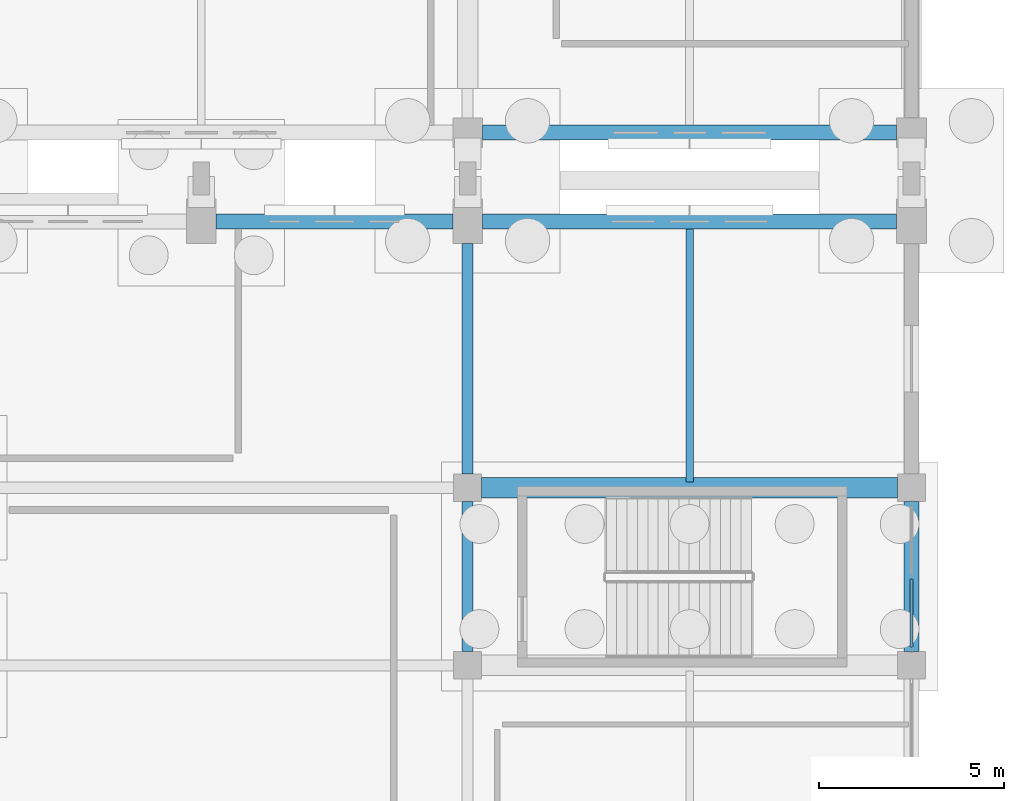
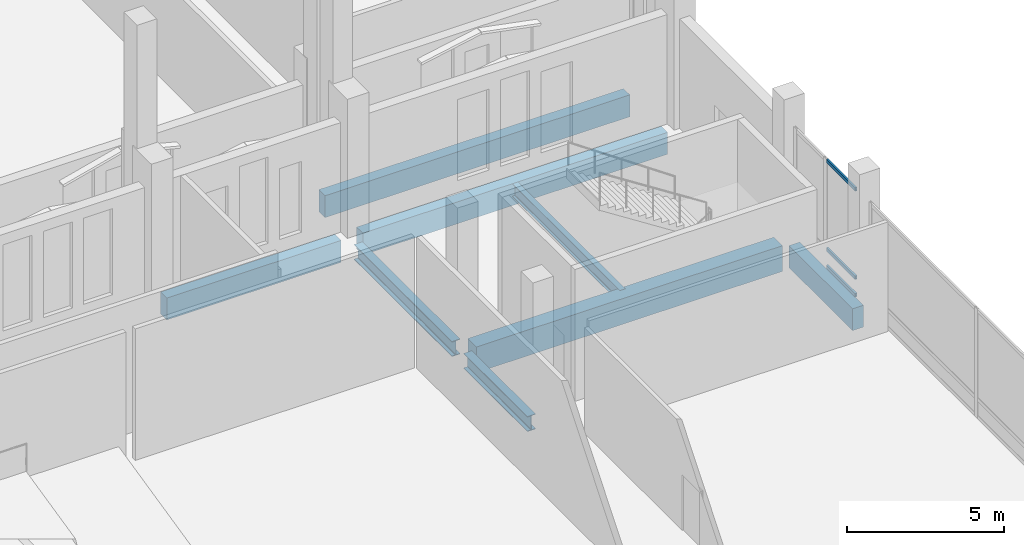
# One storey, part 114 of 192: 8 beams, 3 members, 1 element without a shape of its own.
"""IFC4 building model written with IfcOpenShell, lengths in metres."""

from ifc_helpers import new_model, si_unit, direction, frame, origin, origin_2d, place, context, subcontext, project, spatial, rectangle, hollow_rectangle, i_section, extrude, material, material_profile, profile_set, type_object, element, aggregate, save


model = new_model("IFC4")

# Units and contexts
model_context = context("Model", 3, precision=1e-05, world=origin(), true_north=direction((0.0, 1.0)))
body_context = subcontext(model_context, "Body", "Model", "MODEL_VIEW")
ifc_project = project(units=[si_unit("LENGTHUNIT", "METRE"), si_unit("AREAUNIT", "SQUARE_METRE"), si_unit("VOLUMEUNIT", "CUBIC_METRE"), si_unit("PLANEANGLEUNIT", "RADIAN"), si_unit("MASSUNIT", "GRAM", prefix="KILO")], contexts=[model_context])

# Site, building, storey
site_placement = place(None, origin())
site = spatial("IfcSite", under=ifc_project, at=site_placement, CompositionType="ELEMENT")
building_placement = place(site_placement, origin())
building = spatial("IfcBuilding", under=site, at=building_placement, Name="Cendralis Lancet Convention Centre", CompositionType="ELEMENT")
storey_placement = place(building_placement, origin())
storey = spatial("IfcBuildingStorey", under=building, at=storey_placement, Name="L00", CompositionType="ELEMENT", Elevation=0.0)

# Curtain wall, members
ifc_material_1 = material(Name="Anodised bronze architectural aluminium", Category="aluminium")
curtain_wall_type = type_object("IfcCurtainWallType", Name="ARC-CW-PL01", PredefinedType="USERDEFINED", material=ifc_material_1)
curtain_wall_placement = place(storey_placement, origin())
curtain_wall = element("IfcCurtainWall", 1, at=curtain_wall_placement, inside=storey, type_object=curtain_wall_type, Name="L00 Curtain Wall CW-PL1 #115", ObjectType="CURTAIN WALL", PredefinedType="USERDEFINED")
ifc_material_profile_1 = material_profile(ifc_material_1, hollow_rectangle(XDim=0.070068359375, YDim=0.139892578125, WallThickness=0.00390625, at=origin_2d()), Name="AL-TRAN 70x140x4.0")
ifc_profile_set_1 = profile_set([ifc_material_profile_1], Name="Anodised bronze architectural aluminium")
member_type = type_object("IfcMemberType", Name="ARC-CW-TR02", PredefinedType="USERDEFINED", material=ifc_profile_set_1)
member_1_placement = place(storey_placement, frame((208.800048828125, 81.530029296875, 0.070068359375), z_axis=(0.0, -1.0, 0.0), x_axis=(1.0, 0.0, 0.0)))
member_1 = element("IfcMember", 2, at=member_1_placement, type_object=member_type, Name="Transom CW2-CW-PL1-L00-115-T1BOT", ObjectType="TRANSOM", PredefinedType="USERDEFINED", context=body_context, shape_type="SweptSolid", body=[
    extrude(hollow_rectangle(XDim=0.070068359375, YDim=0.139892578125, WallThickness=0.00390625, at=origin_2d()), origin(), (0.0, 0.0, 1.0), 1.8349609375),
])
member_2_placement = place(storey_placement, frame((208.800048828125, 81.530029296875, 0.75), z_axis=(0.0, -1.0, 0.0), x_axis=(1.0, 0.0, 0.0)))
member_2 = element("IfcMember", 3, at=member_2_placement, type_object=member_type, Name="Transom CW2-CW-PL1-L00-115-T1MID", ObjectType="TRANSOM", PredefinedType="USERDEFINED", context=body_context, shape_type="SweptSolid", body=[
    extrude(hollow_rectangle(XDim=0.070068359375, YDim=0.139892578125, WallThickness=0.00390625, at=origin_2d()), origin(), (0.0, 0.0, 1.0), 1.8349609375),
])
member_3_placement = place(storey_placement, frame((208.800048828125, 81.530029296875, 4.18505859375), z_axis=(0.0, -1.0, 0.0), x_axis=(1.0, 0.0, 0.0)))
member_3 = element("IfcMember", 4, at=member_3_placement, type_object=member_type, Name="Transom CW2-CW-PL1-L00-115-T1TOP", ObjectType="TRANSOM", PredefinedType="USERDEFINED", context=body_context, shape_type="SweptSolid", body=[
    extrude(hollow_rectangle(XDim=0.070068359375, YDim=0.139892578125, WallThickness=0.00390625, at=origin_2d()), origin(), (0.0, 0.0, 1.0), 1.8349609375),
])
aggregate(curtain_wall, [member_1, member_2, member_3])

# Beams
ifc_material_2 = material(Name="Concrete G40 (C40/50)", Category="concrete")
ifc_material_profile_2 = material_profile(ifc_material_2, rectangle(XDim=0.550048828125, YDim=1.0, at=origin_2d()), Name="RCB 550x1000")
ifc_profile_set_2 = profile_set([ifc_material_profile_2], Name="Concrete G40 (C40/50)")
beam_type_1 = type_object("IfcBeamType", Name="STR-BM-BG05", PredefinedType="BEAM", material=ifc_profile_set_2)
beam_1_placement = place(storey_placement, frame((197.175048828125, 84.0, -0.820068359375), z_axis=(1.0, 0.0, 0.0), x_axis=(0.0, 1.0, 0.0)))
element("IfcBeam", 5, at=beam_1_placement, inside=storey, type_object=beam_type_1, Name="L00 Beam BG05 #1366", PredefinedType="BEAM", context=body_context, shape_type="SweptSolid", body=[
    extrude(rectangle(XDim=0.550048828125, YDim=1.0, at=origin_2d()), origin(), (0.0, 0.0, 1.0), 11.25),
])
ifc_material_3 = material(Name="Steel S355", Category="steel")
ifc_material_profile_3 = material_profile(ifc_material_3, i_section(OverallWidth=0.300048828125, OverallDepth=0.590087890625, WebThickness=0.012939453125, FlangeThickness=0.02490234375, FilletRadius=0.027099609375, at=origin_2d()), Name="HEA 600")
ifc_profile_set_3 = profile_set([ifc_material_profile_3], Name="Steel S355")
beam_type_2 = type_object("IfcBeamType", Name="STR-BM-SG10", PredefinedType="BEAM", material=ifc_profile_set_3)
beam_2_placement = place(storey_placement, frame((196.800048828125, 79.574951171875, -0.614990234375), z_axis=(0.0, 1.0, 0.0), x_axis=(-1.0, 0.0, 0.0)))
element("IfcBeam", 6, at=beam_2_placement, inside=storey, type_object=beam_type_2, Name="L00 Beam SG10 #1380", PredefinedType="BEAM", context=body_context, shape_type="SweptSolid", body=[
    extrude(i_section(OverallWidth=0.300048828125, OverallDepth=0.590087890625, WebThickness=0.012939453125, FlangeThickness=0.02490234375, FilletRadius=0.027099609375, at=origin_2d()), origin(), (0.0, 0.0, 1.0), 4.050048828125),
])
beam_3_placement = place(storey_placement, frame((196.800048828125, 84.375, -0.614990234375), z_axis=(0.0, 1.0, 0.0), x_axis=(-1.0, 0.0, 0.0)))
element("IfcBeam", 7, at=beam_3_placement, inside=storey, type_object=beam_type_2, Name="L00 Beam SG10 #1381", PredefinedType="BEAM", context=body_context, shape_type="SweptSolid", body=[
    extrude(i_section(OverallWidth=0.300048828125, OverallDepth=0.590087890625, WebThickness=0.012939453125, FlangeThickness=0.02490234375, FilletRadius=0.027099609375, at=origin_2d()), origin(), (0.0, 0.0, 1.0), 6.22509765625),
])
ifc_material_profile_4 = material_profile(ifc_material_3, i_section(OverallWidth=0.199951171875, OverallDepth=0.5, WebThickness=0.01025390625, FlangeThickness=0.01611328125, FilletRadius=0.02099609375, at=origin_2d()), Name="IPE 500")
ifc_profile_set_4 = profile_set([ifc_material_profile_4], Name="Steel S355")
beam_type_3 = type_object("IfcBeamType", Name="STR-JS-BJ06", PredefinedType="JOIST", material=ifc_profile_set_4)
beam_4_placement = place(storey_placement, frame((202.800048828125, 84.14990234375, -0.570068359375), z_axis=(0.0, 1.0, 0.0), x_axis=(-1.0, 0.0, 0.0)))
element("IfcBeam", 8, at=beam_4_placement, inside=storey, type_object=beam_type_3, Name="L00 Beam BJ06 #1393", PredefinedType="JOIST", context=body_context, shape_type="SweptSolid", body=[
    extrude(i_section(OverallWidth=0.199951171875, OverallDepth=0.5, WebThickness=0.01025390625, FlangeThickness=0.01611328125, FilletRadius=0.02099609375, at=origin_2d()), origin(), (0.0, 0.0, 1.0), 6.85009765625),
])
ifc_material_profile_5 = material_profile(ifc_material_2, rectangle(XDim=0.39990234375, YDim=0.85009765625, at=origin_2d()), Name="RCB 400x850")
ifc_profile_set_5 = profile_set([ifc_material_profile_5], Name="Concrete G40 (C40/50)")
beam_type_4 = type_object("IfcBeamType", Name="STR-SP-SP02", PredefinedType="SPANDREL", material=ifc_profile_set_5)
beam_5_placement = place(storey_placement, frame((190.0, 91.199951171875, -0.7451171875), z_axis=(1.0, 0.0, 0.0), x_axis=(0.0, 1.0, 0.0)))
element("IfcBeam", 9, at=beam_5_placement, inside=storey, type_object=beam_type_4, Name="L00 Beam SP02 #1353", PredefinedType="SPANDREL", context=body_context, shape_type="SweptSolid", body=[
    extrude(rectangle(XDim=0.39990234375, YDim=0.85009765625, at=origin_2d()), origin(), (0.0, 0.0, 1.0), 6.39990234375),
])
beam_6_placement = place(storey_placement, frame((197.199951171875, 91.199951171875, -0.7451171875), z_axis=(1.0, 0.0, 0.0), x_axis=(0.0, 1.0, 0.0)))
element("IfcBeam", 10, at=beam_6_placement, inside=storey, type_object=beam_type_4, Name="L00 Beam SP02 #1354", PredefinedType="SPANDREL", context=body_context, shape_type="SweptSolid", body=[
    extrude(rectangle(XDim=0.39990234375, YDim=0.85009765625, at=origin_2d()), origin(), (0.0, 0.0, 1.0), 11.199951171875),
])
beam_7_placement = place(storey_placement, frame((208.800048828125, 79.574951171875, -0.7451171875), z_axis=(0.0, 1.0, 0.0), x_axis=(-1.0, 0.0, 0.0)))
element("IfcBeam", 11, at=beam_7_placement, inside=storey, type_object=beam_type_4, Name="L00 Beam SP02 #1385", PredefinedType="SPANDREL", context=body_context, shape_type="SweptSolid", body=[
    extrude(rectangle(XDim=0.39990234375, YDim=0.85009765625, at=origin_2d()), origin(), (0.0, 0.0, 1.0), 4.050048828125),
])
beam_8_placement = place(storey_placement, frame((197.199951171875, 93.60009765625, -0.7451171875), z_axis=(1.0, 0.0, 0.0), x_axis=(0.0, 1.0, 0.0)))
element("IfcBeam", 12, at=beam_8_placement, inside=storey, type_object=beam_type_4, Name="L00 Beam SP02 #1586", PredefinedType="SPANDREL", context=body_context, shape_type="SweptSolid", body=[
    extrude(rectangle(XDim=0.39990234375, YDim=0.85009765625, at=origin_2d()), origin(), (0.0, 0.0, 1.0), 11.199951171875),
])

save(model, "model.ifc")
